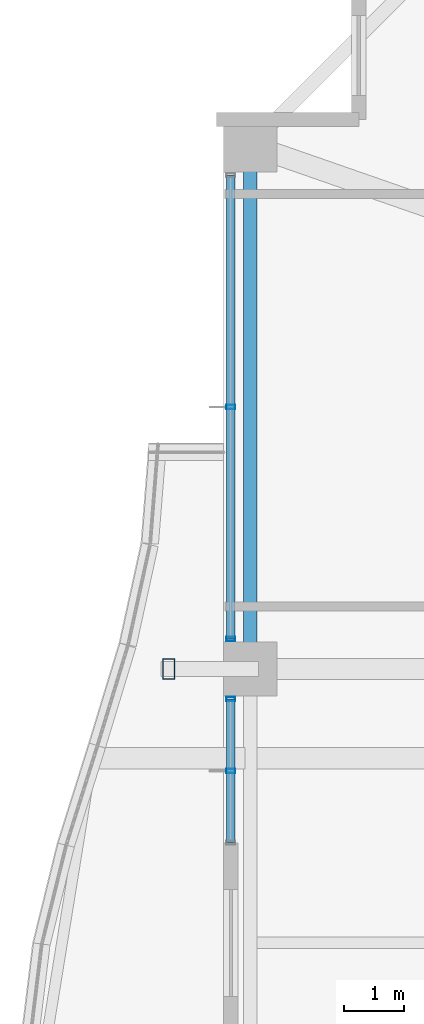
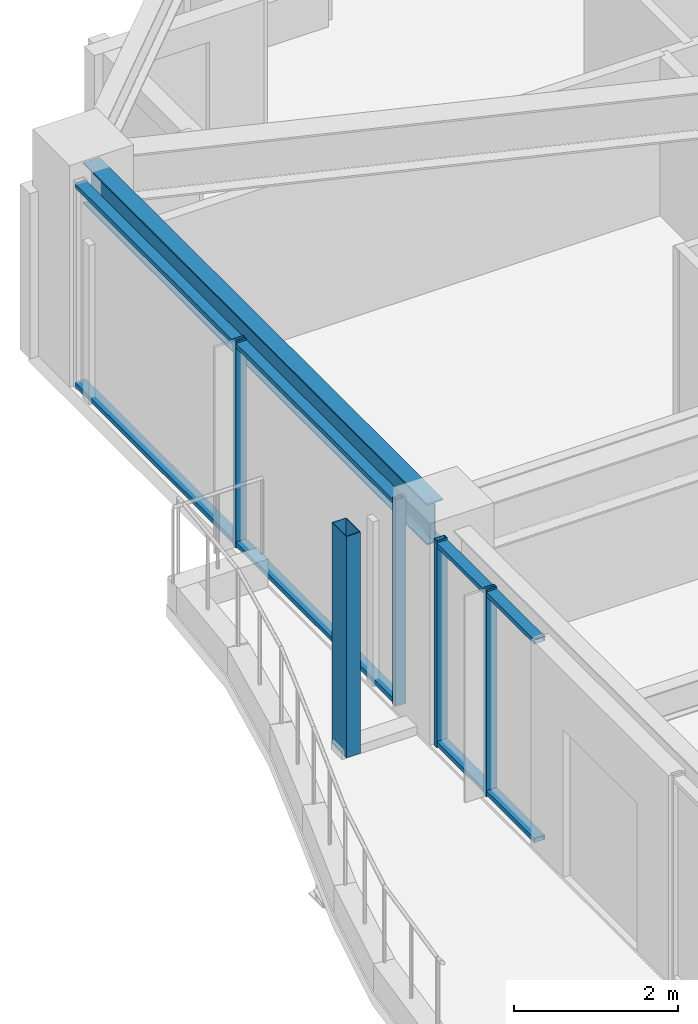
# One storey, part 8 of 35: 9 members, 1 beam, 2 elements without a shape of their own.
"""IFC4 building model written with IfcOpenShell, lengths in metres."""

from ifc_helpers import new_model, si_unit, direction, frame, origin, origin_2d, place, context, subcontext, project, spatial, hollow_rectangle, i_section, extrude, material, material_profile, profile_set, type_object, element, aggregate, save


model = new_model("IFC4")

# Units and contexts
model_context = context("Model", 3, precision=1e-05, world=origin(), true_north=direction((0.0, 1.0)))
body_context = subcontext(model_context, "Body", "Model", "MODEL_VIEW")
ifc_project = project(units=[si_unit("LENGTHUNIT", "METRE"), si_unit("AREAUNIT", "SQUARE_METRE"), si_unit("VOLUMEUNIT", "CUBIC_METRE"), si_unit("PLANEANGLEUNIT", "RADIAN"), si_unit("MASSUNIT", "GRAM", prefix="KILO")], contexts=[model_context])

# Site, building, storey
site_placement = place(None, origin())
site = spatial("IfcSite", under=ifc_project, at=site_placement, CompositionType="ELEMENT")
building_placement = place(site_placement, origin())
building = spatial("IfcBuilding", under=site, at=building_placement, Name="Kolvaren Belvedere", CompositionType="ELEMENT")
storey_placement = place(building_placement, frame((0.0, 0.0, 176.699951171875)))
storey = spatial("IfcBuildingStorey", under=building, at=storey_placement, Name="L51", CompositionType="ELEMENT", Elevation=176.699951171875)

# Beam
ifc_material_1 = material(Name="Structural steel ASTM A992 Grade 50", Category="steel")
ifc_material_profile_1 = material_profile(ifc_material_1, i_section(OverallWidth=0.22900390625, OverallDepth=0.612060546875, WebThickness=0.011962890625, FlangeThickness=0.01953125, FilletRadius=0.01806640625, at=origin_2d()), Name="W24X84")
ifc_profile_set_1 = profile_set([ifc_material_profile_1], Name="Structural steel ASTM A992 Grade 50")
beam_type = type_object("IfcBeamType", Name="BM-SPAN-W24X84", PredefinedType="SPANDREL", material=ifc_profile_set_1)
beam_placement = place(storey_placement, frame((-19.949951171875, 13.197509765625, 2.774169921875), z_axis=(0.0, -1.0, 0.0), x_axis=(1.0, 0.0, 0.0)))
element("IfcBeam", 1, at=beam_placement, inside=storey, type_object=beam_type, Name="L51 Perimeter Spandrel W4-W3", PredefinedType="SPANDREL", context=body_context, shape_type="SweptSolid", body=[
    extrude(i_section(OverallWidth=0.22900390625, OverallDepth=0.612060546875, WebThickness=0.011962890625, FlangeThickness=0.01953125, FilletRadius=0.01806640625, at=origin_2d()), origin(), (0.0, 0.0, 1.0), 8.39501953125),
])

# Curtain wall, members
ifc_material_2 = material(Name="Anodised pale-metal aluminium AA 6063-T6", Category="aluminium")
curtain_wall_type = type_object("IfcCurtainWallType", Name="CW-Z5-HIGH", PredefinedType="NOTDEFINED", material=ifc_material_2)
curtain_wall_1_placement = place(storey_placement, origin())
curtain_wall_1 = element("IfcCurtainWall", 2, at=curtain_wall_1_placement, inside=storey, type_object=curtain_wall_type, Name="L51 Unitised Curtain Wall FCW-L51-W2-B1", PredefinedType="NOTDEFINED")
ifc_material_3 = material(Name="Anodised pale-metal aluminium AA 6063-T6", Category="aluminium")
ifc_material_profile_2 = material_profile(ifc_material_3, hollow_rectangle(XDim=0.070068359375, YDim=0.14990234375, WallThickness=0.004150390625, at=origin_2d()), Name="ALU-MUL-150X70")
ifc_profile_set_2 = profile_set([ifc_material_profile_2], Name="Anodised pale-metal aluminium AA 6063-T6")
member_type_1 = type_object("IfcMemberType", Name="CW-MUL-150", PredefinedType="MULLION", material=ifc_profile_set_2)
member_1_placement = place(storey_placement, frame((-20.280029296875, 2.887451171875, 0.0), z_axis=(0.0, 0.0, 1.0), x_axis=(0.0, 1.0, 0.0)))
member_1 = element("IfcMember", 3, at=member_1_placement, type_object=member_type_1, Name="FCW-L51-W2-B1 Unitised Mullion 2", PredefinedType="MULLION", context=body_context, shape_type="SweptSolid", body=[
    extrude(hollow_rectangle(XDim=0.070068359375, YDim=0.14990234375, WallThickness=0.004150390625, at=origin_2d()), origin(), (0.0, 0.0, 1.0), 3.080078125),
])
member_2_placement = place(storey_placement, frame((-20.280029296875, 4.094970703125, 0.0), z_axis=(0.0, 0.0, 1.0), x_axis=(0.0, 1.0, 0.0)))
member_2 = element("IfcMember", 4, at=member_2_placement, type_object=member_type_1, Name="FCW-L51-W2-B1 Unitised Mullion 3", PredefinedType="MULLION", context=body_context, shape_type="SweptSolid", body=[
    extrude(hollow_rectangle(XDim=0.070068359375, YDim=0.14990234375, WallThickness=0.004150390625, at=origin_2d()), origin(), (0.0, 0.0, 1.0), 3.080078125),
])

curtain_wall_2_placement = place(storey_placement, origin())
curtain_wall_2 = element("IfcCurtainWall", 5, at=curtain_wall_2_placement, inside=storey, type_object=curtain_wall_type, Name="L51 Unitised Curtain Wall FCW-L51-W2-B2", PredefinedType="NOTDEFINED")
member_3_placement = place(storey_placement, frame((-20.280029296875, 5.10498046875, 0.0), z_axis=(0.0, 0.0, 1.0), x_axis=(0.0, 1.0, 0.0)))
member_3 = element("IfcMember", 6, at=member_3_placement, type_object=member_type_1, Name="FCW-L51-W2-B2 Unitised Mullion 1", PredefinedType="MULLION", context=body_context, shape_type="SweptSolid", body=[
    extrude(hollow_rectangle(XDim=0.070068359375, YDim=0.14990234375, WallThickness=0.004150390625, at=origin_2d()), origin(), (0.0, 0.0, 1.0), 3.080078125),
])
member_4_placement = place(storey_placement, frame((-20.280029296875, 9.0, 0.0), z_axis=(0.0, 0.0, 1.0), x_axis=(0.0, 1.0, 0.0)))
member_4 = element("IfcMember", 7, at=member_4_placement, type_object=member_type_1, Name="FCW-L51-W2-B2 Unitised Mullion 2", PredefinedType="MULLION", context=body_context, shape_type="SweptSolid", body=[
    extrude(hollow_rectangle(XDim=0.070068359375, YDim=0.14990234375, WallThickness=0.004150390625, at=origin_2d()), origin(), (0.0, 0.0, 1.0), 3.080078125),
])

# Member
ifc_material_4 = material(Name="Anodised pale-metal aluminium AA 6063-T6", Category="aluminium")
ifc_material_profile_3 = material_profile(ifc_material_4, hollow_rectangle(XDim=0.06494140625, YDim=0.14990234375, WallThickness=0.00390625, at=origin_2d()), Name="ALU-TRN-150X65")
ifc_profile_set_3 = profile_set([ifc_material_profile_3], Name="Anodised pale-metal aluminium AA 6063-T6")
member_type_2 = type_object("IfcMemberType", Name="CW-TRN-150", PredefinedType="USERDEFINED", material=ifc_profile_set_3)
member_5_placement = place(storey_placement, frame((-20.280029296875, 1.679931640625, 0.06005859375), z_axis=(0.0, 1.0, 0.0), x_axis=(0.0, 0.0, 1.0)))
member_5 = element("IfcMember", 8, at=member_5_placement, type_object=member_type_2, Name="FCW-L51-W2-B1 Sill Transom", ObjectType="TRANSOM", PredefinedType="USERDEFINED", context=body_context, shape_type="SweptSolid", body=[
    extrude(hollow_rectangle(XDim=0.06494140625, YDim=0.14990234375, WallThickness=0.00390625, at=origin_2d()), origin(), (0.0, 0.0, 1.0), 2.4150390625),
])

member_6_placement = place(storey_placement, frame((-20.280029296875, 1.679931640625, 3.02001953125), z_axis=(0.0, 1.0, 0.0), x_axis=(0.0, 0.0, 1.0)))
member_6 = element("IfcMember", 9, at=member_6_placement, type_object=member_type_2, Name="FCW-L51-W2-B1 Head Transom", ObjectType="TRANSOM", PredefinedType="USERDEFINED", context=body_context, shape_type="SweptSolid", body=[
    extrude(hollow_rectangle(XDim=0.06494140625, YDim=0.14990234375, WallThickness=0.00390625, at=origin_2d()), origin(), (0.0, 0.0, 1.0), 2.4150390625),
])

aggregate(curtain_wall_1, [member_1, member_2, member_5, member_6])

member_7_placement = place(storey_placement, frame((-20.280029296875, 5.10498046875, 0.06005859375), z_axis=(0.0, 1.0, 0.0), x_axis=(0.0, 0.0, 1.0)))
member_7 = element("IfcMember", 10, at=member_7_placement, type_object=member_type_2, Name="FCW-L51-W2-B2 Sill Transom", ObjectType="TRANSOM", PredefinedType="USERDEFINED", context=body_context, shape_type="SweptSolid", body=[
    extrude(hollow_rectangle(XDim=0.06494140625, YDim=0.14990234375, WallThickness=0.00390625, at=origin_2d()), origin(), (0.0, 0.0, 1.0), 7.7900390625),
])

member_8_placement = place(storey_placement, frame((-20.280029296875, 5.10498046875, 3.02001953125), z_axis=(0.0, 1.0, 0.0), x_axis=(0.0, 0.0, 1.0)))
member_8 = element("IfcMember", 11, at=member_8_placement, type_object=member_type_2, Name="FCW-L51-W2-B2 Head Transom", ObjectType="TRANSOM", PredefinedType="USERDEFINED", context=body_context, shape_type="SweptSolid", body=[
    extrude(hollow_rectangle(XDim=0.06494140625, YDim=0.14990234375, WallThickness=0.00390625, at=origin_2d()), origin(), (0.0, 0.0, 1.0), 7.7900390625),
])

aggregate(curtain_wall_2, [member_3, member_4, member_7, member_8])

ifc_material_5 = material(Name="Anodised pale-metal aluminium AA 6063-T6", Category="aluminium")
ifc_material_profile_4 = material_profile(ifc_material_5, hollow_rectangle(XDim=0.199951171875, YDim=0.35009765625, WallThickness=0.007568359375, at=origin_2d()), Name="ALU-PF-350X200")
ifc_profile_set_4 = profile_set([ifc_material_profile_4], Name="Anodised pale-metal aluminium AA 6063-T6")
member_type_3 = type_object("IfcMemberType", Name="PF-FRAME-350", PredefinedType="USERDEFINED", material=ifc_profile_set_4)
member_9_placement = place(storey_placement, frame((-21.320068359375, 4.60009765625, 0.0), z_axis=(0.0, 0.0, 1.0), x_axis=(1.0, 0.0, 0.0)))
element("IfcMember", 12, at=member_9_placement, inside=storey, type_object=member_type_3, Name="L51 Outboard Picture-Frame Vertical W2", ObjectType="PICTURE FRAME FIN", PredefinedType="USERDEFINED", context=body_context, shape_type="SweptSolid", body=[
    extrude(hollow_rectangle(XDim=0.199951171875, YDim=0.35009765625, WallThickness=0.007568359375, at=origin_2d()), origin(), (0.0, 0.0, 1.0), 3.300048828125),
])

save(model, "model.ifc")
